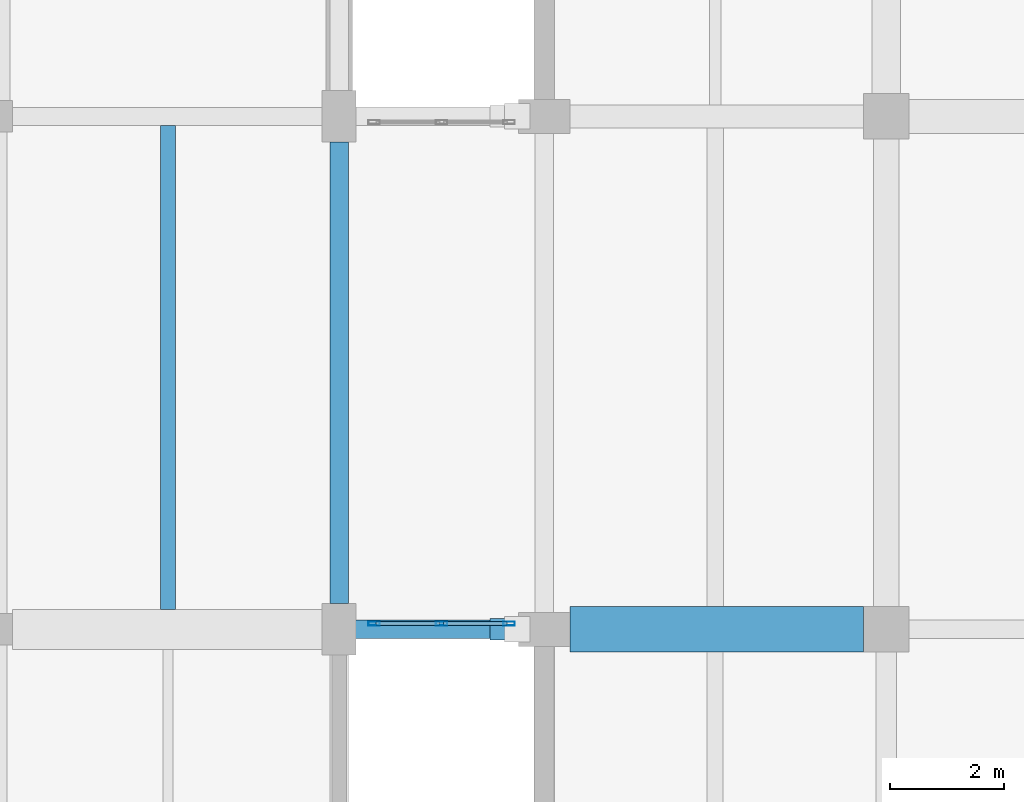
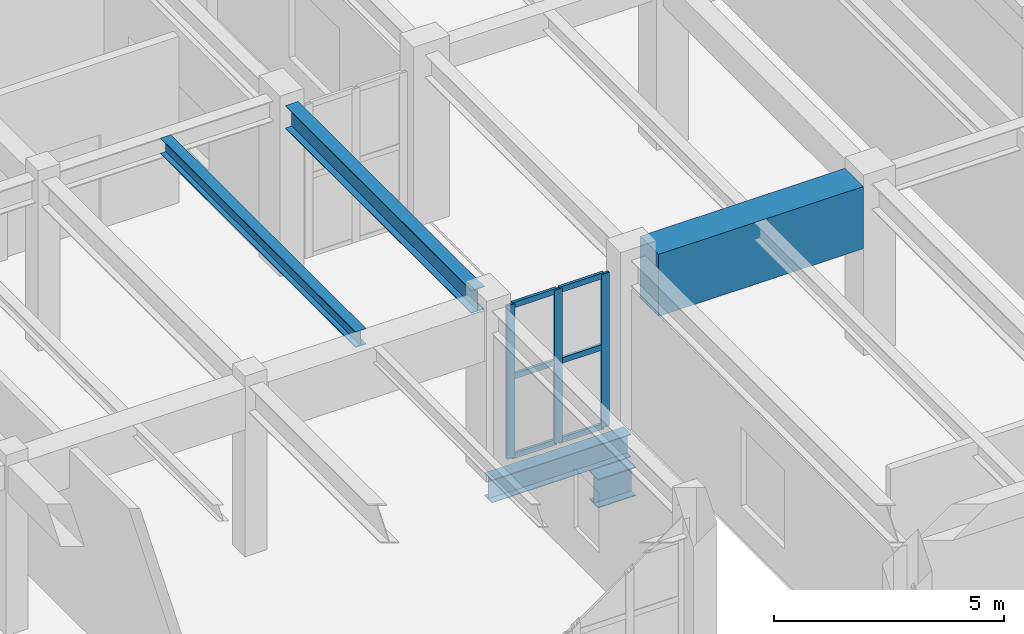
# One storey, part 16 of 96: 9 members, 5 beams, 1 element without a shape of its own.
"""IFC4 building model written with IfcOpenShell, lengths in metres."""

from ifc_helpers import new_model, si_unit, direction, frame, origin, origin_2d, place, context, subcontext, project, spatial, rectangle, hollow_rectangle, i_section, extrude, material, layer, layer_set, material_profile, profile_set, type_object, element, aggregate, save


model = new_model("IFC4")

# Units and contexts
model_context = context("Model", 3, precision=1e-05, world=origin(), true_north=direction((0.0, 1.0)))
body_context = subcontext(model_context, "Body", "Model", "MODEL_VIEW")
ifc_project = project(units=[si_unit("LENGTHUNIT", "METRE"), si_unit("AREAUNIT", "SQUARE_METRE"), si_unit("VOLUMEUNIT", "CUBIC_METRE"), si_unit("PLANEANGLEUNIT", "RADIAN"), si_unit("MASSUNIT", "GRAM", prefix="KILO")], contexts=[model_context])

# Site, building, storey
site_placement = place(None, origin())
site = spatial("IfcSite", under=ifc_project, at=site_placement, CompositionType="ELEMENT")
building_placement = place(site_placement, origin())
building = spatial("IfcBuilding", under=site, at=building_placement, Name="Vaelkrest Opera House", CompositionType="ELEMENT")
storey_placement = place(building_placement, frame((0.0, 0.0, 5.39990234375)))
storey = spatial("IfcBuildingStorey", under=building, at=storey_placement, Name="L01", CompositionType="ELEMENT", Elevation=5.39990234375)

# Beam
ifc_material_1 = material(Name="Concrete C50/60", Category="concrete")
ifc_material_profile_1 = material_profile(ifc_material_1, rectangle(XDim=0.800048828125, YDim=1.64990234375, at=origin_2d()), Name="RCB800X1650")
ifc_profile_set_1 = profile_set([ifc_material_profile_1], Name="Concrete C50/60")
beam_type_1 = type_object("IfcBeamType", Name="B07", PredefinedType="BEAM", material=ifc_profile_set_1)
beam_1_placement = place(storey_placement, frame((-29.550048828125, -7.800048828125, 3.675048828125), z_axis=(1.0, 0.0, 0.0), x_axis=(0.0, 1.0, 0.0)))
element("IfcBeam", 1, at=beam_1_placement, inside=storey, type_object=beam_type_1, Name="Beam BM-V1-L01-0232", PredefinedType="BEAM", context=body_context, shape_type="SweptSolid", body=[
    extrude(rectangle(XDim=0.800048828125, YDim=1.64990234375, at=origin_2d()), origin(), (0.0, 0.0, 1.0), 5.150146484375),
])

# Curtain wall, members
ifc_material_2 = material(Name="Dark bronze anodized aluminium", Category="aluminium")
ifc_layer = layer(ifc_material_2, 0.18994140625)
ifc_layer_set = layer_set([ifc_layer], Name="Dark bronze anodized aluminium")
curtain_wall_type = type_object("IfcCurtainWallType", Name="CW02", PredefinedType="NOTDEFINED", material=ifc_layer_set)
curtain_wall_placement = place(storey_placement, origin())
curtain_wall = element("IfcCurtainWall", 2, at=curtain_wall_placement, inside=storey, type_object=curtain_wall_type, Name="Curtain wall CW-L01-176", PredefinedType="NOTDEFINED")
ifc_material_profile_2 = material_profile(ifc_material_2, hollow_rectangle(XDim=0.070068359375, YDim=0.199951171875, WallThickness=0.004150390625, at=origin_2d()), Name="CWM70X200")
ifc_profile_set_2 = profile_set([ifc_material_profile_2], Name="Dark bronze anodized aluminium")
member_type_1 = type_object("IfcMemberType", Name="CWM02", PredefinedType="MULLION", material=ifc_profile_set_2)
member_1_placement = place(storey_placement, frame((-30.614990234375, -7.699951171875, 0.0), z_axis=(0.0, 0.0, 1.0), x_axis=(0.0, -1.0, 0.0)))
member_1 = element("IfcMember", 3, at=member_1_placement, type_object=member_type_1, Name="CW02 mullion 1", PredefinedType="MULLION", context=body_context, shape_type="SweptSolid", body=[
    extrude(hollow_rectangle(XDim=0.070068359375, YDim=0.199951171875, WallThickness=0.004150390625, at=origin_2d()), origin(), (0.0, 0.0, 1.0), 4.080078125),
])
member_2_placement = place(storey_placement, frame((-31.800048828125, -7.699951171875, 0.0), z_axis=(0.0, 0.0, 1.0), x_axis=(0.0, -1.0, 0.0)))
member_2 = element("IfcMember", 4, at=member_2_placement, type_object=member_type_1, Name="CW02 mullion 2", PredefinedType="MULLION", context=body_context, shape_type="SweptSolid", body=[
    extrude(hollow_rectangle(XDim=0.070068359375, YDim=0.199951171875, WallThickness=0.004150390625, at=origin_2d()), origin(), (0.0, 0.0, 1.0), 4.080078125),
])
member_3_placement = place(storey_placement, frame((-32.985107421875, -7.699951171875, 0.0), z_axis=(0.0, 0.0, 1.0), x_axis=(0.0, -1.0, 0.0)))
member_3 = element("IfcMember", 5, at=member_3_placement, type_object=member_type_1, Name="CW02 mullion 3", PredefinedType="MULLION", context=body_context, shape_type="SweptSolid", body=[
    extrude(hollow_rectangle(XDim=0.070068359375, YDim=0.199951171875, WallThickness=0.004150390625, at=origin_2d()), origin(), (0.0, 0.0, 1.0), 4.080078125),
])
ifc_material_profile_3 = material_profile(ifc_material_2, hollow_rectangle(XDim=0.070068359375, YDim=0.14990234375, WallThickness=0.004150390625, at=origin_2d()), Name="CWT70X150")
ifc_profile_set_3 = profile_set([ifc_material_profile_3], Name="Dark bronze anodized aluminium")
member_type_2 = type_object("IfcMemberType", Name="CWT02", PredefinedType="USERDEFINED", material=ifc_profile_set_3)
member_4_placement = place(storey_placement, frame((-30.64990234375, -7.699951171875, 0.03515625), z_axis=(-1.0, 0.0, 0.0), x_axis=(0.0, -1.0, 0.0)))
member_4 = element("IfcMember", 6, at=member_4_placement, type_object=member_type_2, Name="CW02 transom 1.1", ObjectType="TRANSOM", PredefinedType="USERDEFINED", context=body_context, shape_type="SweptSolid", body=[
    extrude(hollow_rectangle(XDim=0.070068359375, YDim=0.14990234375, WallThickness=0.004150390625, at=origin_2d()), origin(), (0.0, 0.0, 1.0), 1.114990234375),
])
member_5_placement = place(storey_placement, frame((-30.64990234375, -7.699951171875, 2.150146484375), z_axis=(-1.0, 0.0, 0.0), x_axis=(0.0, -1.0, 0.0)))
member_5 = element("IfcMember", 7, at=member_5_placement, type_object=member_type_2, Name="CW02 transom 1.2", ObjectType="TRANSOM", PredefinedType="USERDEFINED", context=body_context, shape_type="SweptSolid", body=[
    extrude(hollow_rectangle(XDim=0.070068359375, YDim=0.14990234375, WallThickness=0.004150390625, at=origin_2d()), origin(), (0.0, 0.0, 1.0), 1.114990234375),
])
member_6_placement = place(storey_placement, frame((-30.64990234375, -7.699951171875, 4.045166015625), z_axis=(-1.0, 0.0, 0.0), x_axis=(0.0, -1.0, 0.0)))
member_6 = element("IfcMember", 8, at=member_6_placement, type_object=member_type_2, Name="CW02 transom 1.3", ObjectType="TRANSOM", PredefinedType="USERDEFINED", context=body_context, shape_type="SweptSolid", body=[
    extrude(hollow_rectangle(XDim=0.070068359375, YDim=0.14990234375, WallThickness=0.004150390625, at=origin_2d()), origin(), (0.0, 0.0, 1.0), 1.114990234375),
])
member_7_placement = place(storey_placement, frame((-31.8349609375, -7.699951171875, 0.03515625), z_axis=(-1.0, 0.0, 0.0), x_axis=(0.0, -1.0, 0.0)))
member_7 = element("IfcMember", 9, at=member_7_placement, type_object=member_type_2, Name="CW02 transom 2.1", ObjectType="TRANSOM", PredefinedType="USERDEFINED", context=body_context, shape_type="SweptSolid", body=[
    extrude(hollow_rectangle(XDim=0.070068359375, YDim=0.14990234375, WallThickness=0.004150390625, at=origin_2d()), origin(), (0.0, 0.0, 1.0), 1.114990234375),
])
member_8_placement = place(storey_placement, frame((-31.8349609375, -7.699951171875, 2.150146484375), z_axis=(-1.0, 0.0, 0.0), x_axis=(0.0, -1.0, 0.0)))
member_8 = element("IfcMember", 10, at=member_8_placement, type_object=member_type_2, Name="CW02 transom 2.2", ObjectType="TRANSOM", PredefinedType="USERDEFINED", context=body_context, shape_type="SweptSolid", body=[
    extrude(hollow_rectangle(XDim=0.070068359375, YDim=0.14990234375, WallThickness=0.004150390625, at=origin_2d()), origin(), (0.0, 0.0, 1.0), 1.114990234375),
])
member_9_placement = place(storey_placement, frame((-31.8349609375, -7.699951171875, 4.045166015625), z_axis=(-1.0, 0.0, 0.0), x_axis=(0.0, -1.0, 0.0)))
member_9 = element("IfcMember", 11, at=member_9_placement, type_object=member_type_2, Name="CW02 transom 2.3", ObjectType="TRANSOM", PredefinedType="USERDEFINED", context=body_context, shape_type="SweptSolid", body=[
    extrude(hollow_rectangle(XDim=0.070068359375, YDim=0.14990234375, WallThickness=0.004150390625, at=origin_2d()), origin(), (0.0, 0.0, 1.0), 1.114990234375),
])
aggregate(curtain_wall, [member_1, member_2, member_3, member_4, member_5, member_6, member_7, member_8, member_9])

# Beams
ifc_material_3 = material(Name="Steel A992 Gr50", Category="steel")
ifc_material_profile_4 = material_profile(ifc_material_3, i_section(OverallWidth=0.261962890625, OverallDepth=0.4189453125, WebThickness=0.01171875, FlangeThickness=0.019287109375, at=origin_2d()), Name="W16X77")
ifc_profile_set_4 = profile_set([ifc_material_profile_4], Name="Steel A992 Gr50")
beam_type_2 = type_object("IfcBeamType", Name="J08", PredefinedType="JOIST", material=ifc_profile_set_4)
beam_2_placement = place(storey_placement, frame((-36.60009765625, -7.449951171875, 4.29052734375), z_axis=(0.0, 1.0, 0.0), x_axis=(-1.0, 0.0, 0.0)))
element("IfcBeam", 12, at=beam_2_placement, inside=storey, type_object=beam_type_2, Name="Floor joist JST-V3-L01-1618", PredefinedType="JOIST", context=body_context, shape_type="SweptSolid", body=[
    extrude(i_section(OverallWidth=0.261962890625, OverallDepth=0.4189453125, WebThickness=0.01171875, FlangeThickness=0.019287109375, at=origin_2d()), origin(), (0.0, 0.0, 1.0), 8.492431640625),
])
ifc_material_profile_5 = material_profile(ifc_material_3, i_section(OverallWidth=0.323974609375, OverallDepth=0.611083984375, WebThickness=0.0126953125, FlangeThickness=0.01904296875, at=origin_2d()), Name="W24X104")
ifc_profile_set_5 = profile_set([ifc_material_profile_5], Name="Steel A992 Gr50")
beam_type_3 = type_object("IfcBeamType", Name="SP01", PredefinedType="SPANDREL", material=ifc_profile_set_5)
beam_3_placement = place(storey_placement, frame((-33.60009765625, -7.35009765625, 4.194580078125), z_axis=(0.0, 1.0, 0.0), x_axis=(-1.0, 0.0, 0.0)))
element("IfcBeam", 13, at=beam_3_placement, inside=storey, type_object=beam_type_3, Name="Beam BM-V3-L01-1588", PredefinedType="SPANDREL", context=body_context, shape_type="SweptSolid", body=[
    extrude(i_section(OverallWidth=0.323974609375, OverallDepth=0.611083984375, WebThickness=0.0126953125, FlangeThickness=0.01904296875, at=origin_2d()), origin(), (0.0, 0.0, 1.0), 8.10009765625),
])
beam_4_placement = place(storey_placement, frame((-33.60009765625, -7.800048828125, -0.52978515625), z_axis=(1.0, 0.0, 0.0), x_axis=(0.0, 1.0, 0.0)))
element("IfcBeam", 14, at=beam_4_placement, inside=storey, type_object=beam_type_3, Name="Bridge cantilever girder BR-W-L01 S", PredefinedType="SPANDREL", context=body_context, shape_type="SweptSolid", body=[
    extrude(i_section(OverallWidth=0.323974609375, OverallDepth=0.611083984375, WebThickness=0.0126953125, FlangeThickness=0.01904296875, at=origin_2d()), origin(), (0.0, 0.0, 1.0), 3.5),
])
ifc_material_profile_6 = material_profile(ifc_material_3, i_section(OverallWidth=0.381103515625, OverallDepth=0.77294921875, WebThickness=0.0166015625, FlangeThickness=0.027099609375, at=origin_2d()), Name="W30X173")
ifc_profile_set_6 = profile_set([ifc_material_profile_6], Name="Steel A992 Gr50")
beam_type_4 = type_object("IfcBeamType", Name="SP03", PredefinedType="SPANDREL", material=ifc_profile_set_6)
beam_5_placement = place(storey_placement, frame((-30.949951171875, -7.800048828125, -1.5), z_axis=(1.0, 0.0, 0.0), x_axis=(0.0, 1.0, 0.0)))
element("IfcBeam", 15, at=beam_5_placement, inside=storey, type_object=beam_type_4, Name="Seismic bridge 950mm RC corbel seat BR-W-L01 S", PredefinedType="SPANDREL", context=body_context, shape_type="SweptSolid", body=[
    extrude(i_section(OverallWidth=0.381103515625, OverallDepth=0.77294921875, WebThickness=0.0166015625, FlangeThickness=0.027099609375, at=origin_2d()), origin(), (0.0, 0.0, 1.0), 0.949951171875),
])

save(model, "model.ifc")
